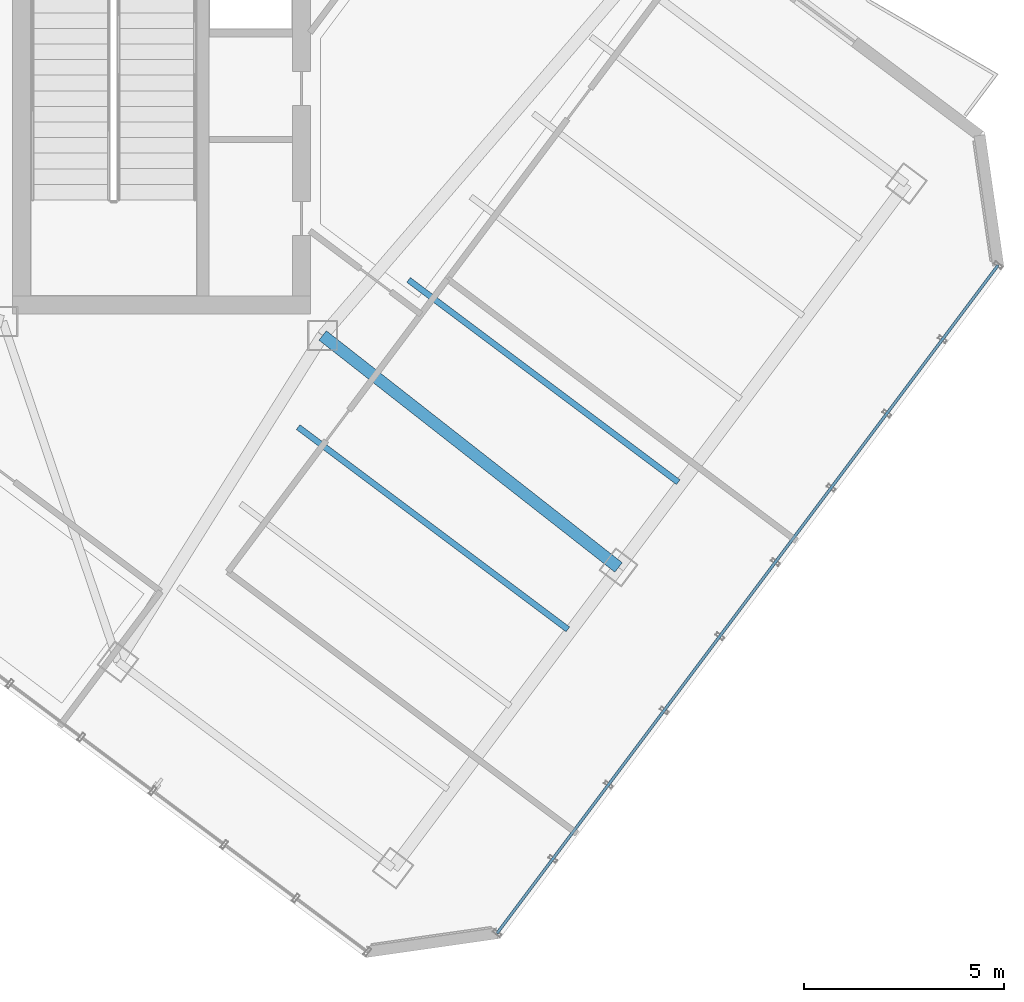
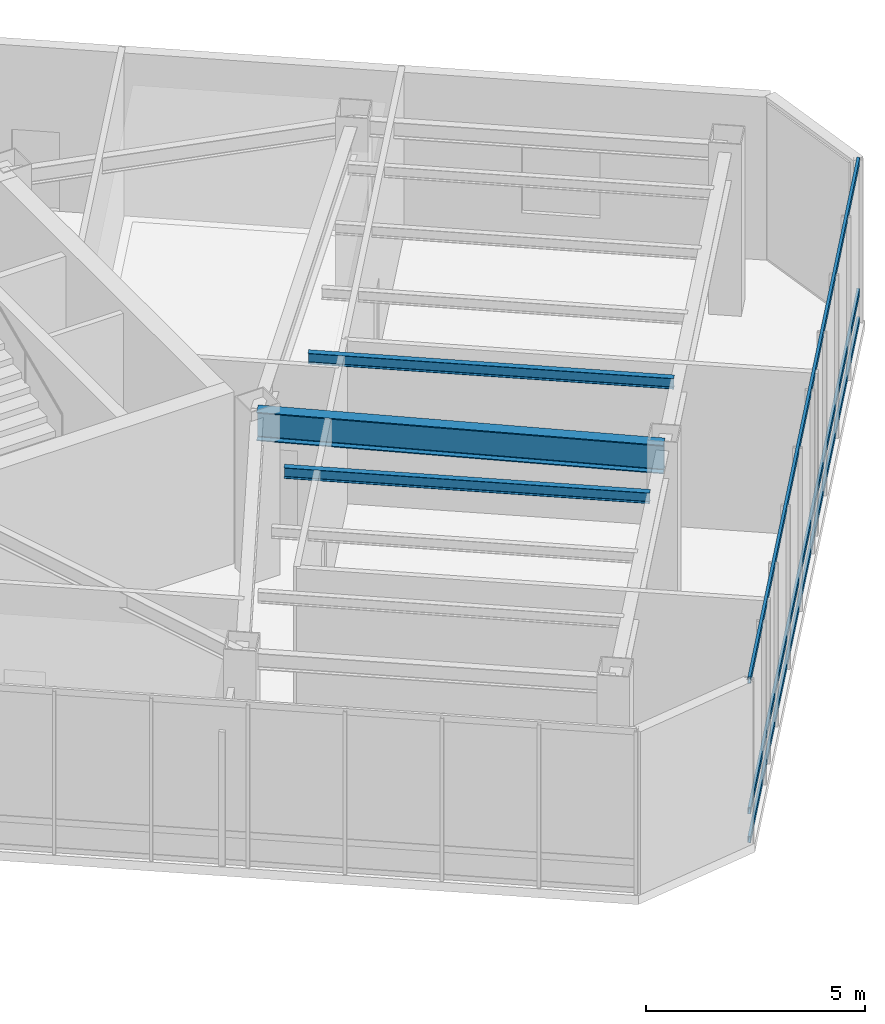
# One storey, part 8 of 21: 3 beams, 3 members, 1 element without a shape of its own.
"""IFC4 building model written with IfcOpenShell, lengths in metres."""

from ifc_helpers import new_model, si_unit, direction, frame, origin, origin_2d, place, context, subcontext, project, spatial, hollow_rectangle, i_section, extrude, material, layer, layer_set, material_profile, profile_set, type_object, element, aggregate, save


model = new_model("IFC4")

# Units and contexts
model_context = context("Model", 3, precision=1e-05, world=origin(), true_north=direction((0.0, 1.0)))
body_context = subcontext(model_context, "Body", "Model", "MODEL_VIEW")
ifc_project = project(units=[si_unit("LENGTHUNIT", "METRE"), si_unit("AREAUNIT", "SQUARE_METRE"), si_unit("VOLUMEUNIT", "CUBIC_METRE"), si_unit("PLANEANGLEUNIT", "RADIAN"), si_unit("MASSUNIT", "GRAM", prefix="KILO")], contexts=[model_context])

# Site, building, storey
site_placement = place(None, origin())
site = spatial("IfcSite", under=ifc_project, at=site_placement, CompositionType="ELEMENT")
building_placement = place(site_placement, origin())
building = spatial("IfcBuilding", under=site, at=building_placement, Name="Hatsunagi Terrace Concourse", CompositionType="ELEMENT")
storey_placement = place(building_placement, frame((0.0, 0.0, 186.75)))
storey = spatial("IfcBuildingStorey", under=building, at=storey_placement, Name="L49", CompositionType="ELEMENT", Elevation=186.75)

# Curtain wall, members
ifc_material_1 = material(Name="Anodised Aluminium Alloy 6063-T5", Category="aluminium")
ifc_layer = layer(ifc_material_1, 0.199951171875)
ifc_layer_set = layer_set([ifc_layer], Name="SkyLobbyAtrium_CW05")
curtain_wall_type = type_object("IfcCurtainWallType", Name="SkyLobbyAtrium_CW05", PredefinedType="NOTDEFINED", material=ifc_layer_set)
curtain_wall_placement = place(storey_placement, origin())
curtain_wall = element("IfcCurtainWall", 1, at=curtain_wall_placement, inside=storey, type_object=curtain_wall_type, Name="Unitised Curtain Wall CW-05 CW-L49-03", PredefinedType="NOTDEFINED")
ifc_material_2 = material(Name="Anodised Aluminium Alloy 6063-T5", Category="aluminium")
ifc_material_profile_1 = material_profile(ifc_material_2, hollow_rectangle(XDim=0.070068359375, YDim=0.179931640625, WallThickness=0.00390625, at=origin_2d()), Name="ALU-TRN-180x70x4")
ifc_profile_set_1 = profile_set([ifc_material_profile_1], Name="Anodised Aluminium Alloy 6063-T5")
member_type = type_object("IfcMemberType", Name="CurtainWallTransom_Heavy_180x70", PredefinedType="USERDEFINED", material=ifc_profile_set_1)
member_1_placement = place(storey_placement, frame((60.693115234375, 25.9580078125, 0.050048828125), z_axis=(-0.599970072971, -0.800022444397, 0.0), x_axis=(0.800022444397, -0.599970072971, 0.0)))
member_1 = element("IfcMember", 2, at=member_1_placement, type_object=member_type, Name="Curtain Wall Transom TRN-01", ObjectType="TRANSOM", PredefinedType="USERDEFINED", context=body_context, shape_type="SweptSolid", body=[
    extrude(hollow_rectangle(XDim=0.070068359375, YDim=0.179931640625, WallThickness=0.00390625, at=origin_2d()), origin(), (0.0, 0.0, 1.0), 20.884521484375),
])
member_2_placement = place(storey_placement, frame((60.693115234375, 25.9580078125, 0.85009765625), z_axis=(-0.599970072971, -0.800022444397, 0.0), x_axis=(0.800022444397, -0.599970072971, 0.0)))
member_2 = element("IfcMember", 3, at=member_2_placement, type_object=member_type, Name="Curtain Wall Transom TRN-01", ObjectType="TRANSOM", PredefinedType="USERDEFINED", context=body_context, shape_type="SweptSolid", body=[
    extrude(hollow_rectangle(XDim=0.070068359375, YDim=0.179931640625, WallThickness=0.00390625, at=origin_2d()), origin(), (0.0, 0.0, 1.0), 20.884521484375),
])
member_3_placement = place(storey_placement, frame((60.693115234375, 25.9580078125, 4.5), z_axis=(-0.599970072971, -0.800022444397, 0.0), x_axis=(0.800022444397, -0.599970072971, 0.0)))
member_3 = element("IfcMember", 4, at=member_3_placement, type_object=member_type, Name="Curtain Wall Transom TRN-01", ObjectType="TRANSOM", PredefinedType="USERDEFINED", context=body_context, shape_type="SweptSolid", body=[
    extrude(hollow_rectangle(XDim=0.070068359375, YDim=0.179931640625, WallThickness=0.00390625, at=origin_2d()), origin(), (0.0, 0.0, 1.0), 20.884521484375),
])
aggregate(curtain_wall, [member_1, member_2, member_3])

# Beams
ifc_material_3 = material(Name="Steel SN490B", Category="steel")
ifc_material_profile_2 = material_profile(ifc_material_3, i_section(OverallWidth=0.14990234375, OverallDepth=0.300048828125, WebThickness=0.006591796875, FlangeThickness=0.009033203125, FilletRadius=0.010986328125, at=origin_2d()), Name="H-300x150x6.5x9")
ifc_profile_set_2 = profile_set([ifc_material_profile_2], Name="Steel SN490B")
beam_type_1 = type_object("IfcBeamType", Name="OfficeJoist_H_300x150", PredefinedType="JOIST", material=ifc_profile_set_2)
for number, where, z_axis, x_axis, name in (
    (5, (43.18798828125, 21.908935546875, 4.39990234375), (0.800003475366, -0.59999536615, 0.0), (0.59999536615, 0.800003475366, 0.0), "Beam J-03 J-L49-SE-2-96"),
    (6, (45.947998046875, 25.589111328125, 4.39990234375), (0.799989573921, -0.600013901187, 0.0), (0.600013901187, 0.799989573921, 0.0), "Beam J-03 J-L49-SE-2-142"),
):
    element("IfcBeam", number, at=place(storey_placement, frame(where, z_axis=z_axis, x_axis=x_axis)), inside=storey, type_object=beam_type_1, Name=name, PredefinedType="JOIST", context=body_context, shape_type="SweptSolid", body=[
        extrude(i_section(OverallWidth=0.14990234375, OverallDepth=0.300048828125, WebThickness=0.006591796875, FlangeThickness=0.009033203125, FilletRadius=0.010986328125, at=origin_2d()), origin(), (0.0, 0.0, 1.0), 8.429931640625),
    ])
ifc_material_4 = material(Name="Steel SN490B", Category="steel")
ifc_material_profile_3 = material_profile(ifc_material_4, i_section(OverallWidth=0.300048828125, OverallDepth=0.800048828125, WebThickness=0.013916015625, FlangeThickness=0.02587890625, FilletRadius=0.02197265625, at=origin_2d()), Name="H-800x300x14x26")
ifc_profile_set_3 = profile_set([ifc_material_profile_3], Name="Steel SN490B")
beam_type_2 = type_object("IfcBeamType", Name="SkyLobbyGirder_H_800x300", PredefinedType="BEAM", material=ifc_profile_set_3)
beam_placement = place(storey_placement, frame((43.800048828125, 24.199951171875, 4.14990234375), z_axis=(0.787049441068, -0.616889923175, 0.0), x_axis=(0.616889923175, 0.787049441068, 0.0)))
element("IfcBeam", 7, at=beam_placement, inside=storey, type_object=beam_type_2, Name="Beam G-03 BM-L49-SE-M2", PredefinedType="BEAM", context=body_context, shape_type="SweptSolid", body=[
    extrude(i_section(OverallWidth=0.300048828125, OverallDepth=0.800048828125, WebThickness=0.013916015625, FlangeThickness=0.02587890625, FilletRadius=0.02197265625, at=origin_2d()), origin(), (0.0, 0.0, 1.0), 9.402099609375),
])

save(model, "model.ifc")
